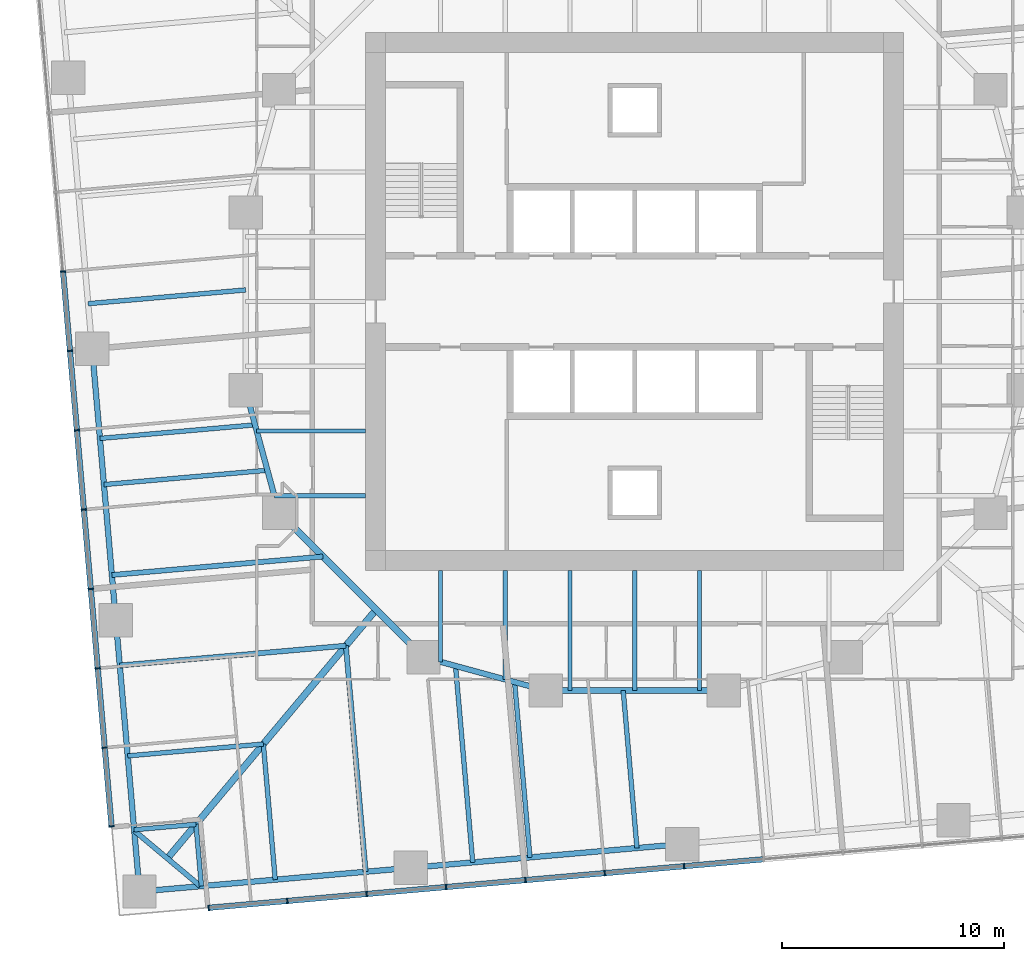
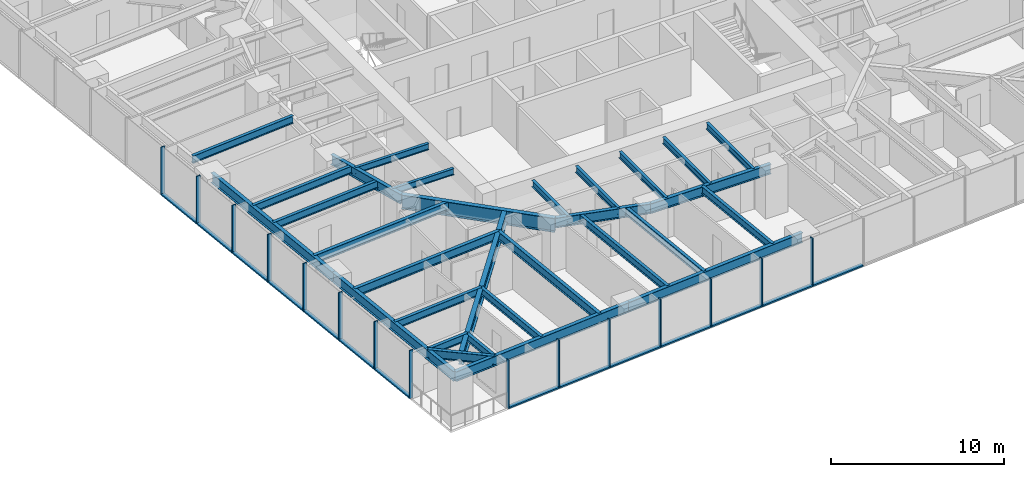
# One storey, part 2 of 14: 30 beams, 29 members, 2 elements without a shape of their own.
"""IFC4 building model written with IfcOpenShell, lengths in metres."""

from ifc_helpers import new_model, si_unit, direction, frame, origin, origin_2d, place, context, subcontext, project, spatial, rectangle, i_section, extrude, material, material_profile, profile_set, type_object, element, aggregate, save


model = new_model("IFC4")

# Units and contexts
model_context = context("Model", 3, precision=1e-05, world=origin(), true_north=direction((0.0, 1.0)))
body_context = subcontext(model_context, "Body", "Model", "MODEL_VIEW")
ifc_project = project(units=[si_unit("LENGTHUNIT", "METRE"), si_unit("AREAUNIT", "SQUARE_METRE"), si_unit("VOLUMEUNIT", "CUBIC_METRE"), si_unit("PLANEANGLEUNIT", "RADIAN"), si_unit("MASSUNIT", "GRAM", prefix="KILO")], contexts=[model_context])

# Site, building, storey
site_placement = place(None, origin())
site = spatial("IfcSite", under=ifc_project, at=site_placement, CompositionType="ELEMENT")
building_placement = place(site_placement, origin())
building = spatial("IfcBuilding", under=site, at=building_placement, Name="Torsade Residences", CompositionType="ELEMENT")
storey_placement = place(building_placement, frame((0.0, 0.0, 50.60009765625)))
storey = spatial("IfcBuildingStorey", under=building, at=storey_placement, Name="L13", CompositionType="ELEMENT", Elevation=50.60009765625)

# Beams
ifc_material_1 = material(Name="Steel grade 300", Category="steel")
ifc_material_profile_1 = material_profile(ifc_material_1, i_section(OverallWidth=0.300048828125, OverallDepth=0.89990234375, WebThickness=0.011962890625, FlangeThickness=0.02490234375, at=origin_2d()), Name="900WB175")
ifc_profile_set_1 = profile_set([ifc_material_profile_1], Name="Steel grade 300")
beam_type_1 = type_object("IfcBeamType", Name="CORNER GIRDER 900WB175", PredefinedType="BEAM", material=ifc_profile_set_1)
beam_1_placement = place(storey_placement, frame((18.978515625, 4.947509765625, 2.7998046875), z_axis=(0.642785419012, 0.766046281307, 0.0), x_axis=(-0.766046281307, 0.642785419012, 0.0)))
element("IfcBeam", 1, at=beam_1_placement, inside=storey, type_object=beam_type_1, Name="Corner girder 01 L14", PredefinedType="BEAM", context=body_context, shape_type="SweptSolid", body=[
    extrude(i_section(OverallWidth=0.300048828125, OverallDepth=0.89990234375, WebThickness=0.011962890625, FlangeThickness=0.02490234375, at=origin_2d()), origin(), (0.0, 0.0, 1.0), 14.603515625),
])
ifc_material_2 = material(Name="Steel grade 300", Category="steel")
ifc_material_profile_2 = material_profile(ifc_material_2, i_section(OverallWidth=0.22802734375, OverallDepth=0.60205078125, WebThickness=0.010498046875, FlangeThickness=0.014892578125, FilletRadius=0.013916015625, at=origin_2d()), Name="610UB101")
ifc_profile_set_2 = profile_set([ifc_material_profile_2], Name="Steel grade 300")
beam_type_2 = type_object("IfcBeamType", Name="CORNER TRIMMER 610UB101", PredefinedType="BEAM", material=ifc_profile_set_2)
beam_2_placement = place(storey_placement, frame((20.468017578125, 3.697509765625, 2.948974609375), z_axis=(-0.766030001697, 0.642804819911, 0.0), x_axis=(-0.642804819911, -0.766030001697, 0.0)))
element("IfcBeam", 2, at=beam_2_placement, inside=storey, type_object=beam_type_2, Name="Corner trimmer 01 L14", PredefinedType="BEAM", context=body_context, shape_type="SweptSolid", body=[
    extrude(i_section(OverallWidth=0.22802734375, OverallDepth=0.60205078125, WebThickness=0.010498046875, FlangeThickness=0.014892578125, FilletRadius=0.013916015625, at=origin_2d()), origin(), (0.0, 0.0, 1.0), 3.88916015625),
])

# Curtain wall, members
ifc_material_3 = material(Name="Aluminium and glass", Category="aluminium")
curtain_wall_type = type_object("IfcCurtainWallType", Name="FRITTED GLASS CURTAIN WALL LOW ZONE", PredefinedType="NOTDEFINED", material=ifc_material_3)
curtain_wall_1_placement = place(storey_placement, origin())
curtain_wall_1 = element("IfcCurtainWall", 3, at=curtain_wall_1_placement, inside=storey, type_object=curtain_wall_type, Name="Curtain wall L13 face 1", PredefinedType="NOTDEFINED")
ifc_material_4 = material(Name="Aluminium mullion", Category="aluminium")
ifc_material_profile_3 = material_profile(ifc_material_4, rectangle(XDim=0.25, YDim=0.06494140625, at=origin_2d()), Name="CURTAIN WALL MULLION 250x65")
ifc_profile_set_3 = profile_set([ifc_material_profile_3], Name="Aluminium mullion")
member_type_1 = type_object("IfcMemberType", Name="CURTAIN WALL MULLION 250x65", PredefinedType="MULLION", material=ifc_profile_set_3)
member_1_placement = place(storey_placement, frame((20.836669921875, 2.72607421875, 0.0), z_axis=(0.0, 0.0, 1.0), x_axis=(-0.087155744208, 0.996194697964, 0.0)))
member_1 = element("IfcMember", 4, at=member_1_placement, type_object=member_type_1, Name="Mullion 1", PredefinedType="MULLION", context=body_context, shape_type="SweptSolid", body=[
    extrude(rectangle(XDim=0.25, YDim=0.06494140625, at=origin_2d()), origin(), (0.0, 0.0, 1.0), 3.39990234375),
])
member_2_placement = place(storey_placement, frame((24.3740234375, 3.035400390625, 0.0), z_axis=(0.0, 0.0, 1.0), x_axis=(-0.087155744208, 0.996194697964, 0.0)))
member_2 = element("IfcMember", 5, at=member_2_placement, type_object=member_type_1, Name="Mullion 2", PredefinedType="MULLION", context=body_context, shape_type="SweptSolid", body=[
    extrude(rectangle(XDim=0.25, YDim=0.06494140625, at=origin_2d()), origin(), (0.0, 0.0, 1.0), 3.39990234375),
])
member_3_placement = place(storey_placement, frame((27.943603515625, 3.347900390625, 0.0), z_axis=(0.0, 0.0, 1.0), x_axis=(-0.087155744208, 0.996194697964, 0.0)))
member_3 = element("IfcMember", 6, at=member_3_placement, type_object=member_type_1, Name="Mullion 3", PredefinedType="MULLION", context=body_context, shape_type="SweptSolid", body=[
    extrude(rectangle(XDim=0.25, YDim=0.06494140625, at=origin_2d()), origin(), (0.0, 0.0, 1.0), 3.39990234375),
])
member_4_placement = place(storey_placement, frame((31.513427734375, 3.66015625, 0.0), z_axis=(0.0, 0.0, 1.0), x_axis=(-0.087155744208, 0.996194697964, 0.0)))
member_4 = element("IfcMember", 7, at=member_4_placement, type_object=member_type_1, Name="Mullion 4", PredefinedType="MULLION", context=body_context, shape_type="SweptSolid", body=[
    extrude(rectangle(XDim=0.25, YDim=0.06494140625, at=origin_2d()), origin(), (0.0, 0.0, 1.0), 3.39990234375),
])
member_5_placement = place(storey_placement, frame((35.0830078125, 3.972412109375, 0.0), z_axis=(0.0, 0.0, 1.0), x_axis=(-0.087155744208, 0.996194697964, 0.0)))
member_5 = element("IfcMember", 8, at=member_5_placement, type_object=member_type_1, Name="Mullion 5", PredefinedType="MULLION", context=body_context, shape_type="SweptSolid", body=[
    extrude(rectangle(XDim=0.25, YDim=0.06494140625, at=origin_2d()), origin(), (0.0, 0.0, 1.0), 3.39990234375),
])
member_6_placement = place(storey_placement, frame((38.65283203125, 4.28466796875, 0.0), z_axis=(0.0, 0.0, 1.0), x_axis=(-0.087155744208, 0.996194697964, 0.0)))
member_6 = element("IfcMember", 9, at=member_6_placement, type_object=member_type_1, Name="Mullion 6", PredefinedType="MULLION", context=body_context, shape_type="SweptSolid", body=[
    extrude(rectangle(XDim=0.25, YDim=0.06494140625, at=origin_2d()), origin(), (0.0, 0.0, 1.0), 3.39990234375),
])
member_7_placement = place(storey_placement, frame((42.222412109375, 4.596923828125, 0.0), z_axis=(0.0, 0.0, 1.0), x_axis=(-0.087155744208, 0.996194697964, 0.0)))
member_7 = element("IfcMember", 10, at=member_7_placement, type_object=member_type_1, Name="Mullion 7", PredefinedType="MULLION", context=body_context, shape_type="SweptSolid", body=[
    extrude(rectangle(XDim=0.25, YDim=0.06494140625, at=origin_2d()), origin(), (0.0, 0.0, 1.0), 3.39990234375),
])

curtain_wall_2_placement = place(storey_placement, origin())
curtain_wall_2 = element("IfcCurtainWall", 11, at=curtain_wall_2_placement, inside=storey, type_object=curtain_wall_type, Name="Curtain wall L13 face 10", PredefinedType="NOTDEFINED")
member_8_placement = place(storey_placement, frame((14.28466796875, 31.34716796875, 0.0), z_axis=(0.0, 0.0, 1.0), x_axis=(0.996194697964, 0.087155744208, 0.0)))
member_8 = element("IfcMember", 12, at=member_8_placement, type_object=member_type_1, Name="Mullion 6", PredefinedType="MULLION", context=body_context, shape_type="SweptSolid", body=[
    extrude(rectangle(XDim=0.25, YDim=0.06494140625, at=origin_2d()), origin(), (0.0, 0.0, 1.0), 3.39990234375),
])
member_9_placement = place(storey_placement, frame((14.596923828125, 27.777587890625, 0.0), z_axis=(0.0, 0.0, 1.0), x_axis=(0.996194697964, 0.087155744208, 0.0)))
member_9 = element("IfcMember", 13, at=member_9_placement, type_object=member_type_1, Name="Mullion 7", PredefinedType="MULLION", context=body_context, shape_type="SweptSolid", body=[
    extrude(rectangle(XDim=0.25, YDim=0.06494140625, at=origin_2d()), origin(), (0.0, 0.0, 1.0), 3.39990234375),
])
member_10_placement = place(storey_placement, frame((14.909423828125, 24.207763671875, 0.0), z_axis=(0.0, 0.0, 1.0), x_axis=(0.996194697964, 0.087155744208, 0.0)))
member_10 = element("IfcMember", 14, at=member_10_placement, type_object=member_type_1, Name="Mullion 8", PredefinedType="MULLION", context=body_context, shape_type="SweptSolid", body=[
    extrude(rectangle(XDim=0.25, YDim=0.06494140625, at=origin_2d()), origin(), (0.0, 0.0, 1.0), 3.39990234375),
])
member_11_placement = place(storey_placement, frame((15.2216796875, 20.63818359375, 0.0), z_axis=(0.0, 0.0, 1.0), x_axis=(0.996194697964, 0.087155744208, 0.0)))
member_11 = element("IfcMember", 15, at=member_11_placement, type_object=member_type_1, Name="Mullion 9", PredefinedType="MULLION", context=body_context, shape_type="SweptSolid", body=[
    extrude(rectangle(XDim=0.25, YDim=0.06494140625, at=origin_2d()), origin(), (0.0, 0.0, 1.0), 3.39990234375),
])
member_12_placement = place(storey_placement, frame((15.533935546875, 17.068359375, 0.0), z_axis=(0.0, 0.0, 1.0), x_axis=(0.996194697964, 0.087155744208, 0.0)))
member_12 = element("IfcMember", 16, at=member_12_placement, type_object=member_type_1, Name="Mullion 10", PredefinedType="MULLION", context=body_context, shape_type="SweptSolid", body=[
    extrude(rectangle(XDim=0.25, YDim=0.06494140625, at=origin_2d()), origin(), (0.0, 0.0, 1.0), 3.39990234375),
])
member_13_placement = place(storey_placement, frame((15.84619140625, 13.498779296875, 0.0), z_axis=(0.0, 0.0, 1.0), x_axis=(0.996194697964, 0.087155744208, 0.0)))
member_13 = element("IfcMember", 17, at=member_13_placement, type_object=member_type_1, Name="Mullion 11", PredefinedType="MULLION", context=body_context, shape_type="SweptSolid", body=[
    extrude(rectangle(XDim=0.25, YDim=0.06494140625, at=origin_2d()), origin(), (0.0, 0.0, 1.0), 3.39990234375),
])
member_14_placement = place(storey_placement, frame((16.15869140625, 9.928955078125, 0.0), z_axis=(0.0, 0.0, 1.0), x_axis=(0.996194697964, 0.087155744208, 0.0)))
member_14 = element("IfcMember", 18, at=member_14_placement, type_object=member_type_1, Name="Mullion 12", PredefinedType="MULLION", context=body_context, shape_type="SweptSolid", body=[
    extrude(rectangle(XDim=0.25, YDim=0.06494140625, at=origin_2d()), origin(), (0.0, 0.0, 1.0), 3.39990234375),
])
member_15_placement = place(storey_placement, frame((16.468017578125, 6.3916015625, 0.0), z_axis=(0.0, 0.0, 1.0), x_axis=(0.996194697964, 0.087155744208, 0.0)))
member_15 = element("IfcMember", 19, at=member_15_placement, type_object=member_type_1, Name="Mullion 13", PredefinedType="MULLION", context=body_context, shape_type="SweptSolid", body=[
    extrude(rectangle(XDim=0.25, YDim=0.06494140625, at=origin_2d()), origin(), (0.0, 0.0, 1.0), 3.39990234375),
])

# Member
ifc_material_5 = material(Name="Aluminium transom", Category="aluminium")
ifc_material_profile_4 = material_profile(ifc_material_5, rectangle(XDim=0.25, YDim=0.10009765625, at=origin_2d()), Name="CURTAIN WALL TRANSOM 250x100")
ifc_profile_set_4 = profile_set([ifc_material_profile_4], Name="Aluminium transom")
member_type_2 = type_object("IfcMemberType", Name="CURTAIN WALL TRANSOM 250x100", PredefinedType="USERDEFINED", material=ifc_profile_set_4)
member_16_placement = place(storey_placement, frame((20.869140625, 2.728759765625, 0.0498046875), z_axis=(0.996190751941, 0.0872008357, 0.0), x_axis=(-0.0872008357, 0.996190751941, 0.0)))
member_16 = element("IfcMember", 20, at=member_16_placement, type_object=member_type_2, Name="Transom 1.1", ObjectType="TRANSOM", PredefinedType="USERDEFINED", context=body_context, shape_type="SweptSolid", body=[
    extrude(rectangle(XDim=0.25, YDim=0.10009765625, at=origin_2d()), origin(), (0.0, 0.0, 1.0), 3.485595703125),
])

member_17_placement = place(storey_placement, frame((24.40625, 3.038330078125, 0.0498046875), z_axis=(0.996195148363, 0.08715059597, 0.0), x_axis=(-0.08715059597, 0.996195148363, 0.0)))
member_17 = element("IfcMember", 21, at=member_17_placement, type_object=member_type_2, Name="Transom 2.1", ObjectType="TRANSOM", PredefinedType="USERDEFINED", context=body_context, shape_type="SweptSolid", body=[
    extrude(rectangle(XDim=0.25, YDim=0.10009765625, at=origin_2d()), origin(), (0.0, 0.0, 1.0), 3.5185546875),
])

member_18_placement = place(storey_placement, frame((27.97607421875, 3.3505859375, 0.0498046875), z_axis=(0.996194621295, 0.087156620531, 0.0), x_axis=(-0.087156620531, 0.996194621295, 0.0)))
member_18 = element("IfcMember", 22, at=member_18_placement, type_object=member_type_2, Name="Transom 3.1", ObjectType="TRANSOM", PredefinedType="USERDEFINED", context=body_context, shape_type="SweptSolid", body=[
    extrude(rectangle(XDim=0.25, YDim=0.10009765625, at=origin_2d()), origin(), (0.0, 0.0, 1.0), 3.518310546875),
])

member_19_placement = place(storey_placement, frame((31.545654296875, 3.662841796875, 0.0498046875), z_axis=(0.996195148363, 0.08715059597, 0.0), x_axis=(-0.08715059597, 0.996195148363, 0.0)))
member_19 = element("IfcMember", 23, at=member_19_placement, type_object=member_type_2, Name="Transom 4.1", ObjectType="TRANSOM", PredefinedType="USERDEFINED", context=body_context, shape_type="SweptSolid", body=[
    extrude(rectangle(XDim=0.25, YDim=0.10009765625, at=origin_2d()), origin(), (0.0, 0.0, 1.0), 3.5185546875),
])

member_20_placement = place(storey_placement, frame((35.115478515625, 3.975341796875, 0.0498046875), z_axis=(0.996194621295, 0.087156620531, 0.0), x_axis=(-0.087156620531, 0.996194621295, 0.0)))
member_20 = element("IfcMember", 24, at=member_20_placement, type_object=member_type_2, Name="Transom 5.1", ObjectType="TRANSOM", PredefinedType="USERDEFINED", context=body_context, shape_type="SweptSolid", body=[
    extrude(rectangle(XDim=0.25, YDim=0.10009765625, at=origin_2d()), origin(), (0.0, 0.0, 1.0), 3.518310546875),
])

member_21_placement = place(storey_placement, frame((38.68505859375, 4.28759765625, 0.0498046875), z_axis=(0.996195148363, 0.08715059597, 0.0), x_axis=(-0.08715059597, 0.996195148363, 0.0)))
member_21 = element("IfcMember", 25, at=member_21_placement, type_object=member_type_2, Name="Transom 6.1", ObjectType="TRANSOM", PredefinedType="USERDEFINED", context=body_context, shape_type="SweptSolid", body=[
    extrude(rectangle(XDim=0.25, YDim=0.10009765625, at=origin_2d()), origin(), (0.0, 0.0, 1.0), 3.5185546875),
])

member_22_placement = place(storey_placement, frame((42.2548828125, 4.599853515625, 0.0498046875), z_axis=(0.996194621295, 0.087156620531, 0.0), x_axis=(-0.087156620531, 0.996194621295, 0.0)))
member_22 = element("IfcMember", 26, at=member_22_placement, type_object=member_type_2, Name="Transom 7.1", ObjectType="TRANSOM", PredefinedType="USERDEFINED", context=body_context, shape_type="SweptSolid", body=[
    extrude(rectangle(XDim=0.25, YDim=0.10009765625, at=origin_2d()), origin(), (0.0, 0.0, 1.0), 3.518310546875),
])

aggregate(curtain_wall_1, [member_1, member_2, member_3, member_4, member_5, member_6, member_7, member_16, member_17, member_18, member_19, member_20, member_21, member_22])

member_23_placement = place(storey_placement, frame((14.28759765625, 31.31494140625, 0.0498046875), z_axis=(0.08715059597, -0.996195148363, 0.0), x_axis=(0.996195148363, 0.08715059597, 0.0)))
member_23 = element("IfcMember", 27, at=member_23_placement, type_object=member_type_2, Name="Transom 6.1", ObjectType="TRANSOM", PredefinedType="USERDEFINED", context=body_context, shape_type="SweptSolid", body=[
    extrude(rectangle(XDim=0.25, YDim=0.10009765625, at=origin_2d()), origin(), (0.0, 0.0, 1.0), 3.5185546875),
])

member_24_placement = place(storey_placement, frame((14.599853515625, 27.7451171875, 0.0498046875), z_axis=(0.087156620531, -0.996194621295, 0.0), x_axis=(0.996194621295, 0.087156620531, 0.0)))
member_24 = element("IfcMember", 28, at=member_24_placement, type_object=member_type_2, Name="Transom 7.1", ObjectType="TRANSOM", PredefinedType="USERDEFINED", context=body_context, shape_type="SweptSolid", body=[
    extrude(rectangle(XDim=0.25, YDim=0.10009765625, at=origin_2d()), origin(), (0.0, 0.0, 1.0), 3.518310546875),
])

member_25_placement = place(storey_placement, frame((14.912109375, 24.175537109375, 0.0498046875), z_axis=(0.08715059597, -0.996195148363, 0.0), x_axis=(0.996195148363, 0.08715059597, 0.0)))
member_25 = element("IfcMember", 29, at=member_25_placement, type_object=member_type_2, Name="Transom 8.1", ObjectType="TRANSOM", PredefinedType="USERDEFINED", context=body_context, shape_type="SweptSolid", body=[
    extrude(rectangle(XDim=0.25, YDim=0.10009765625, at=origin_2d()), origin(), (0.0, 0.0, 1.0), 3.5185546875),
])

member_26_placement = place(storey_placement, frame((15.224365234375, 20.605712890625, 0.0498046875), z_axis=(0.087156620531, -0.996194621295, 0.0), x_axis=(0.996194621295, 0.087156620531, 0.0)))
member_26 = element("IfcMember", 30, at=member_26_placement, type_object=member_type_2, Name="Transom 9.1", ObjectType="TRANSOM", PredefinedType="USERDEFINED", context=body_context, shape_type="SweptSolid", body=[
    extrude(rectangle(XDim=0.25, YDim=0.10009765625, at=origin_2d()), origin(), (0.0, 0.0, 1.0), 3.518310546875),
])

member_27_placement = place(storey_placement, frame((15.536865234375, 17.0361328125, 0.0498046875), z_axis=(0.08715059597, -0.996195148363, 0.0), x_axis=(0.996195148363, 0.08715059597, 0.0)))
member_27 = element("IfcMember", 31, at=member_27_placement, type_object=member_type_2, Name="Transom 10.1", ObjectType="TRANSOM", PredefinedType="USERDEFINED", context=body_context, shape_type="SweptSolid", body=[
    extrude(rectangle(XDim=0.25, YDim=0.10009765625, at=origin_2d()), origin(), (0.0, 0.0, 1.0), 3.5185546875),
])

member_28_placement = place(storey_placement, frame((15.84912109375, 13.46630859375, 0.0498046875), z_axis=(0.087156620531, -0.996194621295, 0.0), x_axis=(0.996194621295, 0.087156620531, 0.0)))
member_28 = element("IfcMember", 32, at=member_28_placement, type_object=member_type_2, Name="Transom 11.1", ObjectType="TRANSOM", PredefinedType="USERDEFINED", context=body_context, shape_type="SweptSolid", body=[
    extrude(rectangle(XDim=0.25, YDim=0.10009765625, at=origin_2d()), origin(), (0.0, 0.0, 1.0), 3.518310546875),
])

member_29_placement = place(storey_placement, frame((16.161376953125, 9.896728515625, 0.0498046875), z_axis=(0.08719475177, -0.996191284475, 0.0), x_axis=(0.996191284475, 0.08719475177, 0.0)))
member_29 = element("IfcMember", 33, at=member_29_placement, type_object=member_type_2, Name="Transom 12.1", ObjectType="TRANSOM", PredefinedType="USERDEFINED", context=body_context, shape_type="SweptSolid", body=[
    extrude(rectangle(XDim=0.25, YDim=0.10009765625, at=origin_2d()), origin(), (0.0, 0.0, 1.0), 3.48583984375),
])

aggregate(curtain_wall_2, [member_8, member_9, member_10, member_11, member_12, member_13, member_14, member_15, member_23, member_24, member_25, member_26, member_27, member_28, member_29])

# Beams
ifc_material_6 = material(Name="Steel grade 300", Category="steel")
ifc_material_profile_5 = material_profile(ifc_material_6, i_section(OverallWidth=0.25, OverallDepth=0.699951171875, WebThickness=0.010009765625, FlangeThickness=0.02001953125, at=origin_2d()), Name="700WB130")
ifc_profile_set_5 = profile_set([ifc_material_profile_5], Name="Steel grade 300")
beam_type_3 = type_object("IfcBeamType", Name="EDGE BEAM 700WB130", PredefinedType="SPANDREL", material=ifc_profile_set_5)
for number, where, z_axis, x_axis, name in (
    (34, (17.728515625, 3.4580078125, 2.89990234375), (0.996194907201, 0.08715335259, 0.0), (-0.08715335259, 0.996194907201, 0.0), "Edge beam 01 L14"),
    (35, (29.931884765625, 4.525634765625, 2.89990234375), (0.996194907201, 0.08715335259, 0.0), (-0.08715335259, 0.996194907201, 0.0), "Edge beam 02 L14"),
    (36, (15.59326171875, 27.86474609375, 2.89990234375), (0.08715335259, -0.996194907201, 0.0), (0.996194907201, 0.08715335259, 0.0), "Edge beam 15 L14"),
    (37, (16.660888671875, 15.661376953125, 2.89990234375), (0.08715335259, -0.996194907201, 0.0), (0.996194907201, 0.08715335259, 0.0), "Edge beam 16 L14"),
):
    element("IfcBeam", number, at=place(storey_placement, frame(where, z_axis=z_axis, x_axis=x_axis)), inside=storey, type_object=beam_type_3, Name=name, PredefinedType="SPANDREL", context=body_context, shape_type="SweptSolid", body=[
        extrude(i_section(OverallWidth=0.25, OverallDepth=0.699951171875, WebThickness=0.010009765625, FlangeThickness=0.02001953125, at=origin_2d()), origin(), (0.0, 0.0, 1.0), 12.25),
    ])
ifc_material_7 = material(Name="Steel grade 300", Category="steel")
ifc_material_profile_6 = material_profile(ifc_material_7, i_section(OverallWidth=0.18994140625, OverallDepth=0.4541015625, WebThickness=0.008544921875, FlangeThickness=0.0126953125, FilletRadius=0.011474609375, at=origin_2d()), Name="460UB67.1")
ifc_profile_set_6 = profile_set([ifc_material_profile_6], Name="Steel grade 300")
beam_type_4 = type_object("IfcBeamType", Name="INNER FLOOR BEAM 460UB67.1", PredefinedType="JOIST", material=ifc_profile_set_6)
for number, where, z_axis, x_axis, name in (
    (38, (42.91259765625, 17.89990234375, 3.02294921875), (0.0, -1.0, 0.0), (1.0, 0.0, 0.0), "Inner floor beam IS03 L14"),
    (39, (40.0, 17.89990234375, 3.02294921875), (0.0, -1.0, 0.0), (1.0, 0.0, 0.0), "Inner floor beam IS04 L14"),
    (40, (37.08740234375, 17.89990234375, 3.02294921875), (0.0, -1.0, 0.0), (1.0, 0.0, 0.0), "Inner floor beam IS05 L14"),
):
    element("IfcBeam", number, at=place(storey_placement, frame(where, z_axis=z_axis, x_axis=x_axis)), inside=storey, type_object=beam_type_4, Name=name, PredefinedType="JOIST", context=body_context, shape_type="SweptSolid", body=[
        extrude(i_section(OverallWidth=0.18994140625, OverallDepth=0.4541015625, WebThickness=0.008544921875, FlangeThickness=0.0126953125, FilletRadius=0.011474609375, at=origin_2d()), origin(), (0.0, 0.0, 1.0), 5.39990234375),
    ])
beam_3_placement = place(storey_placement, frame((34.175048828125, 17.89990234375, 3.02294921875), z_axis=(0.0, -1.0, 0.0), x_axis=(1.0, 0.0, 0.0)))
element("IfcBeam", 41, at=beam_3_placement, inside=storey, type_object=beam_type_4, Name="Inner floor beam IS06 L14", PredefinedType="JOIST", context=body_context, shape_type="SweptSolid", body=[
    extrude(i_section(OverallWidth=0.18994140625, OverallDepth=0.4541015625, WebThickness=0.008544921875, FlangeThickness=0.0126953125, FilletRadius=0.011474609375, at=origin_2d()), origin(), (0.0, 0.0, 1.0), 4.902099609375),
])
beam_4_placement = place(storey_placement, frame((31.262451171875, 17.89990234375, 3.02294921875), z_axis=(0.0, -1.0, 0.0), x_axis=(1.0, 0.0, 0.0)))
element("IfcBeam", 42, at=beam_4_placement, inside=storey, type_object=beam_type_4, Name="Inner floor beam IS07 L14", PredefinedType="JOIST", context=body_context, shape_type="SweptSolid", body=[
    extrude(i_section(OverallWidth=0.18994140625, OverallDepth=0.4541015625, WebThickness=0.008544921875, FlangeThickness=0.0126953125, FilletRadius=0.011474609375, at=origin_2d()), origin(), (0.0, 0.0, 1.0), 4.10791015625),
])
beam_5_placement = place(storey_placement, frame((27.89990234375, 24.175048828125, 3.02294921875), z_axis=(-1.0, 0.0, 0.0), x_axis=(0.0, -1.0, 0.0)))
element("IfcBeam", 43, at=beam_5_placement, inside=storey, type_object=beam_type_4, Name="Inner floor beam IW06 L14", PredefinedType="JOIST", context=body_context, shape_type="SweptSolid", body=[
    extrude(i_section(OverallWidth=0.18994140625, OverallDepth=0.4541015625, WebThickness=0.008544921875, FlangeThickness=0.0126953125, FilletRadius=0.011474609375, at=origin_2d()), origin(), (0.0, 0.0, 1.0), 4.902099609375),
])
beam_6_placement = place(storey_placement, frame((27.89990234375, 21.262451171875, 3.02294921875), z_axis=(-1.0, 0.0, 0.0), x_axis=(0.0, -1.0, 0.0)))
element("IfcBeam", 44, at=beam_6_placement, inside=storey, type_object=beam_type_4, Name="Inner floor beam IW07 L14", PredefinedType="JOIST", context=body_context, shape_type="SweptSolid", body=[
    extrude(i_section(OverallWidth=0.18994140625, OverallDepth=0.4541015625, WebThickness=0.008544921875, FlangeThickness=0.0126953125, FilletRadius=0.011474609375, at=origin_2d()), origin(), (0.0, 0.0, 1.0), 4.10791015625),
])
ifc_material_8 = material(Name="Steel grade 300", Category="steel")
ifc_material_profile_7 = material_profile(ifc_material_8, i_section(OverallWidth=0.300048828125, OverallDepth=1.0, WebThickness=0.01611328125, FlangeThickness=0.028076171875, at=origin_2d()), Name="1000WB215")
ifc_profile_set_7 = profile_set([ifc_material_profile_7], Name="Steel grade 300")
beam_type_5 = type_object("IfcBeamType", Name="RING CORNER GIRDER 1000WB215", PredefinedType="BEAM", material=ifc_profile_set_7)
beam_7_placement = place(storey_placement, frame((24.0, 20.5, 2.75), z_axis=(0.707106781187, -0.707106781187, 0.0), x_axis=(0.707106781187, 0.707106781187, 0.0)))
element("IfcBeam", 45, at=beam_7_placement, inside=storey, type_object=beam_type_5, Name="Ring girder IR11 L14", PredefinedType="BEAM", context=body_context, shape_type="SweptSolid", body=[
    extrude(i_section(OverallWidth=0.300048828125, OverallDepth=1.0, WebThickness=0.01611328125, FlangeThickness=0.028076171875, at=origin_2d()), origin(), (0.0, 0.0, 1.0), 9.1923828125),
])
ifc_material_9 = material(Name="Steel grade 300", Category="steel")
ifc_material_profile_8 = material_profile(ifc_material_9, i_section(OverallWidth=0.25, OverallDepth=0.699951171875, WebThickness=0.010009765625, FlangeThickness=0.02001953125, at=origin_2d()), Name="700WB130")
ifc_profile_set_8 = profile_set([ifc_material_profile_8], Name="Steel grade 300")
beam_type_6 = type_object("IfcBeamType", Name="RING GIRDER 700WB130", PredefinedType="BEAM", material=ifc_profile_set_8)
for number, where, z_axis, x_axis, name in (
    (46, (22.5, 26.0, 2.89990234375), (0.263117405792, -0.964763821238, 0.0), (0.964763821238, 0.263117405792, 0.0), "Ring girder IR10 L14"),
    (47, (30.5, 14.0, 2.89990234375), (0.964763821238, -0.263117405792, 0.0), (0.263117405792, 0.964763821238, 0.0), "Ring girder IR12 L14"),
):
    element("IfcBeam", number, at=place(storey_placement, frame(where, z_axis=z_axis, x_axis=x_axis)), inside=storey, type_object=beam_type_6, Name=name, PredefinedType="BEAM", context=body_context, shape_type="SweptSolid", body=[
        extrude(i_section(OverallWidth=0.25, OverallDepth=0.699951171875, WebThickness=0.010009765625, FlangeThickness=0.02001953125, at=origin_2d()), origin(), (0.0, 0.0, 1.0), 5.700927734375),
    ])
beam_8_placement = place(storey_placement, frame((36.0, 12.5, 2.89990234375), z_axis=(1.0, 0.0, 0.0), x_axis=(0.0, 1.0, 0.0)))
element("IfcBeam", 48, at=beam_8_placement, inside=storey, type_object=beam_type_6, Name="Ring girder IR13 L14", PredefinedType="BEAM", context=body_context, shape_type="SweptSolid", body=[
    extrude(i_section(OverallWidth=0.25, OverallDepth=0.699951171875, WebThickness=0.010009765625, FlangeThickness=0.02001953125, at=origin_2d()), origin(), (0.0, 0.0, 1.0), 8.0),
])
ifc_material_10 = material(Name="Steel grade 300", Category="steel")
ifc_material_profile_9 = material_profile(ifc_material_10, i_section(OverallWidth=0.208984375, OverallDepth=0.528076171875, WebThickness=0.009521484375, FlangeThickness=0.01318359375, FilletRadius=0.013916015625, at=origin_2d()), Name="530UB82.0")
ifc_profile_set_9 = profile_set([ifc_material_profile_9], Name="Steel grade 300")
beam_type_7 = type_object("IfcBeamType", Name="SECONDARY BEAM 530UB82.0", PredefinedType="JOIST", material=ifc_profile_set_9)
beam_9_placement = place(storey_placement, frame((20.509521484375, 3.701171875, 2.98583984375), z_axis=(-0.087105111923, 0.996199126418, 0.0), x_axis=(-0.996199126418, -0.087105111923, 0.0)))
element("IfcBeam", 49, at=beam_9_placement, inside=storey, type_object=beam_type_7, Name="Floor beam FS01 L14", PredefinedType="JOIST", context=body_context, shape_type="SweptSolid", body=[
    extrude(i_section(OverallWidth=0.208984375, OverallDepth=0.528076171875, WebThickness=0.009521484375, FlangeThickness=0.01318359375, FilletRadius=0.013916015625, at=origin_2d()), origin(), (0.0, 0.0, 1.0), 2.79150390625),
])
beam_10_placement = place(storey_placement, frame((23.830322265625, 3.99169921875, 2.98583984375), z_axis=(-0.087171400335, 0.996193328106, 0.0), x_axis=(-0.996193328106, -0.087171400335, 0.0)))
element("IfcBeam", 50, at=beam_10_placement, inside=storey, type_object=beam_type_7, Name="Floor beam FS02 L14", PredefinedType="JOIST", context=body_context, shape_type="SweptSolid", body=[
    extrude(i_section(OverallWidth=0.208984375, OverallDepth=0.528076171875, WebThickness=0.009521484375, FlangeThickness=0.01318359375, FilletRadius=0.013916015625, at=origin_2d()), origin(), (0.0, 0.0, 1.0), 6.125244140625),
])
beam_11_placement = place(storey_placement, frame((32.712890625, 4.768798828125, 2.98583984375), z_axis=(-0.08714612802, 0.996195539225, 0.0), x_axis=(-0.996195539225, -0.08714612802, 0.0)))
element("IfcBeam", 51, at=beam_11_placement, inside=storey, type_object=beam_type_7, Name="Floor beam FS04 L14", PredefinedType="JOIST", context=body_context, shape_type="SweptSolid", body=[
    extrude(i_section(OverallWidth=0.208984375, OverallDepth=0.528076171875, WebThickness=0.009521484375, FlangeThickness=0.01318359375, FilletRadius=0.013916015625, at=origin_2d()), origin(), (0.0, 0.0, 1.0), 8.872314453125),
])
beam_12_placement = place(storey_placement, frame((35.286376953125, 4.994140625, 2.98583984375), z_axis=(-0.087157771408, 0.996194520605, 0.0), x_axis=(-0.996194520605, -0.087157771408, 0.0)))
element("IfcBeam", 52, at=beam_12_placement, inside=storey, type_object=beam_type_7, Name="Floor beam FS05 L14", PredefinedType="JOIST", context=body_context, shape_type="SweptSolid", body=[
    extrude(i_section(OverallWidth=0.208984375, OverallDepth=0.528076171875, WebThickness=0.009521484375, FlangeThickness=0.01318359375, FilletRadius=0.013916015625, at=origin_2d()), origin(), (0.0, 0.0, 1.0), 7.918701171875),
])
for number, where, z_axis, x_axis, name in (
    (53, (40.101318359375, 5.415283203125, 2.98583984375), (-0.087127345813, 0.996197182094, 0.0), (-0.996197182094, -0.087127345813, 0.0), "Floor beam FS06 L14"),
    (54, (15.415283203125, 29.898681640625, 2.98583984375), (0.996197182094, 0.087127345813, 0.0), (-0.087127345813, 0.996197182094, 0.0), "Floor beam FW06 L14"),
):
    element("IfcBeam", number, at=place(storey_placement, frame(where, z_axis=z_axis, x_axis=x_axis)), inside=storey, type_object=beam_type_7, Name=name, PredefinedType="JOIST", context=body_context, shape_type="SweptSolid", body=[
        extrude(i_section(OverallWidth=0.208984375, OverallDepth=0.528076171875, WebThickness=0.009521484375, FlangeThickness=0.01318359375, FilletRadius=0.013916015625, at=origin_2d()), origin(), (0.0, 0.0, 1.0), 7.11181640625),
    ])
beam_13_placement = place(storey_placement, frame((15.945556640625, 23.83837890625, 2.98583984375), z_axis=(0.99619296077, 0.087175598142, 0.0), x_axis=(-0.087175598142, 0.99619296077, 0.0)))
element("IfcBeam", 55, at=beam_13_placement, inside=storey, type_object=beam_type_7, Name="Floor beam FW07 L14", PredefinedType="JOIST", context=body_context, shape_type="SweptSolid", body=[
    extrude(i_section(OverallWidth=0.208984375, OverallDepth=0.528076171875, WebThickness=0.009521484375, FlangeThickness=0.01318359375, FilletRadius=0.013916015625, at=origin_2d()), origin(), (0.0, 0.0, 1.0), 7.004150390625),
])
beam_14_placement = place(storey_placement, frame((16.126953125, 21.762939453125, 2.98583984375), z_axis=(0.996194650902, 0.087156282128, 0.0), x_axis=(-0.087156282128, 0.996194650902, 0.0)))
element("IfcBeam", 56, at=beam_14_placement, inside=storey, type_object=beam_type_7, Name="Floor beam FW08 L14", PredefinedType="JOIST", context=body_context, shape_type="SweptSolid", body=[
    extrude(i_section(OverallWidth=0.208984375, OverallDepth=0.528076171875, WebThickness=0.009521484375, FlangeThickness=0.01318359375, FilletRadius=0.013916015625, at=origin_2d()), origin(), (0.0, 0.0, 1.0), 7.381103515625),
])
beam_15_placement = place(storey_placement, frame((17.19482421875, 9.5595703125, 2.98583984375), z_axis=(0.996193025206, 0.087174861801, 0.0), x_axis=(-0.087174861801, 0.996193025206, 0.0)))
element("IfcBeam", 57, at=beam_15_placement, inside=storey, type_object=beam_type_7, Name="Floor beam FW11 L14", PredefinedType="JOIST", context=body_context, shape_type="SweptSolid", body=[
    extrude(i_section(OverallWidth=0.208984375, OverallDepth=0.528076171875, WebThickness=0.009521484375, FlangeThickness=0.01318359375, FilletRadius=0.013916015625, at=origin_2d()), origin(), (0.0, 0.0, 1.0), 6.125),
])
beam_16_placement = place(storey_placement, frame((17.4853515625, 6.239013671875, 2.98583984375), z_axis=(0.996199126418, 0.087105111923, 0.0), x_axis=(-0.087105111923, 0.996199126418, 0.0)))
element("IfcBeam", 58, at=beam_16_placement, inside=storey, type_object=beam_type_7, Name="Floor beam FW12 L14", PredefinedType="JOIST", context=body_context, shape_type="SweptSolid", body=[
    extrude(i_section(OverallWidth=0.208984375, OverallDepth=0.528076171875, WebThickness=0.009521484375, FlangeThickness=0.01318359375, FilletRadius=0.013916015625, at=origin_2d()), origin(), (0.0, 0.0, 1.0), 2.79150390625),
])
ifc_material_11 = material(Name="Steel grade 300", Category="steel")
ifc_material_profile_10 = material_profile(ifc_material_11, i_section(OverallWidth=0.22900390625, OverallDepth=0.612060546875, WebThickness=0.011962890625, FlangeThickness=0.01953125, FilletRadius=0.013916015625, at=origin_2d()), Name="610UB125")
ifc_profile_set_10 = profile_set([ifc_material_profile_10], Name="Steel grade 300")
beam_type_8 = type_object("IfcBeamType", Name="SECONDARY BEAM 610UB125", PredefinedType="JOIST", material=ifc_profile_set_10)
beam_17_placement = place(storey_placement, frame((27.89794921875, 4.34765625, 2.94384765625), z_axis=(-0.087149742944, 0.996195222988, 0.0), x_axis=(-0.996195222988, -0.087149742944, 0.0)))
element("IfcBeam", 59, at=beam_17_placement, inside=storey, type_object=beam_type_8, Name="Floor beam FS03 L14", PredefinedType="JOIST", context=body_context, shape_type="SweptSolid", body=[
    extrude(i_section(OverallWidth=0.22900390625, OverallDepth=0.612060546875, WebThickness=0.011962890625, FlangeThickness=0.01953125, FilletRadius=0.013916015625, at=origin_2d()), origin(), (0.0, 0.0, 1.0), 10.208251953125),
])
beam_18_placement = place(storey_placement, frame((16.48291015625, 17.6953125, 2.94384765625), z_axis=(0.996195358323, 0.087148195942, 0.0), x_axis=(-0.087148195942, 0.996195358323, 0.0)))
element("IfcBeam", 60, at=beam_18_placement, inside=storey, type_object=beam_type_8, Name="Floor beam FW09 L14", PredefinedType="JOIST", context=body_context, shape_type="SweptSolid", body=[
    extrude(i_section(OverallWidth=0.22900390625, OverallDepth=0.612060546875, WebThickness=0.011962890625, FlangeThickness=0.01953125, FilletRadius=0.013916015625, at=origin_2d()), origin(), (0.0, 0.0, 1.0), 9.527587890625),
])
beam_19_placement = place(storey_placement, frame((16.8388671875, 13.62744140625, 2.94384765625), z_axis=(0.996195222988, 0.087149742944, 0.0), x_axis=(-0.087149742944, 0.996195222988, 0.0)))
element("IfcBeam", 61, at=beam_19_placement, inside=storey, type_object=beam_type_8, Name="Floor beam FW10 L14", PredefinedType="JOIST", context=body_context, shape_type="SweptSolid", body=[
    extrude(i_section(OverallWidth=0.22900390625, OverallDepth=0.612060546875, WebThickness=0.011962890625, FlangeThickness=0.01953125, FilletRadius=0.013916015625, at=origin_2d()), origin(), (0.0, 0.0, 1.0), 10.208251953125),
])

save(model, "model.ifc")
